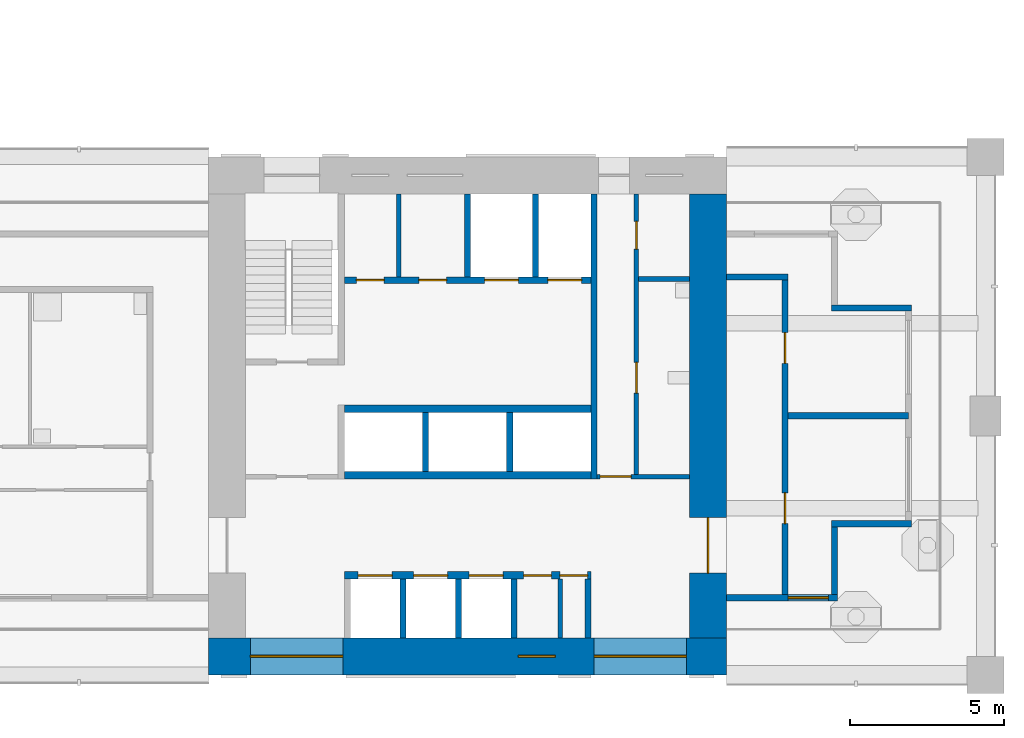
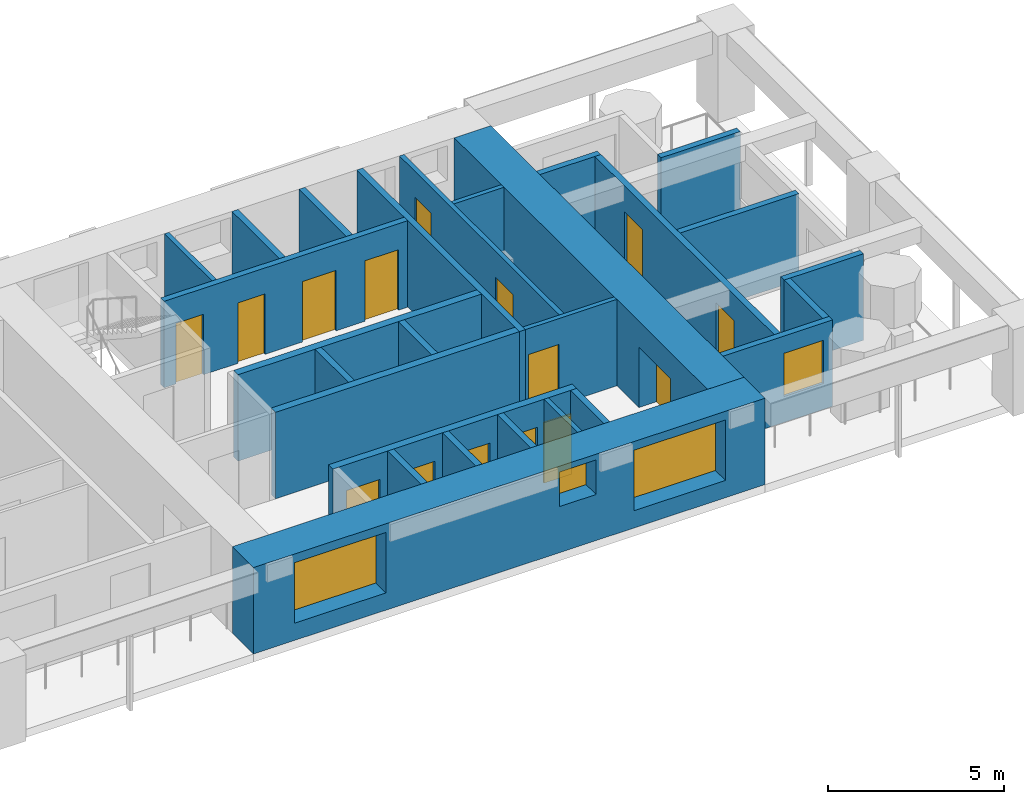
# One storey, part 5 of 18: 27 walls, 15 doors, 4 windows, 19 openings.
"""IFC4 building model written with IfcOpenShell, lengths in metres."""

from ifc_helpers import new_model, si_unit, direction, frame, frame_2d, origin, place, context, subcontext, project, spatial, rectangle, extrude, material, layer, layer_set, type_object, element, fill, save


model = new_model("IFC4")

# Units and contexts
model_context = context("Model", 3, precision=1e-05, world=origin(), true_north=direction((0.0, 1.0)))
body_context = subcontext(model_context, "Body", "Model", "MODEL_VIEW")
ifc_project = project(units=[si_unit("LENGTHUNIT", "METRE"), si_unit("AREAUNIT", "SQUARE_METRE"), si_unit("VOLUMEUNIT", "CUBIC_METRE"), si_unit("PLANEANGLEUNIT", "RADIAN"), si_unit("MASSUNIT", "GRAM", prefix="KILO")], contexts=[model_context])

# Site, building, storey
site_placement = place(None, origin())
site = spatial("IfcSite", under=ifc_project, at=site_placement, CompositionType="ELEMENT")
building_placement = place(site_placement, origin())
building = spatial("IfcBuilding", under=site, at=building_placement, Name="Vermilion Gate Residences", CompositionType="ELEMENT")
storey_placement = place(building_placement, frame((0.0, 0.0, 137.199951171875)))
storey = spatial("IfcBuildingStorey", under=building, at=storey_placement, Name="L35", CompositionType="ELEMENT", Elevation=137.199951171875)

# Walls
ifc_material_1 = material(Name="Masonry blockwork", Category="masonry")
ifc_layer_1 = layer(ifc_material_1, 0.14990234375)
ifc_layer_set_1 = layer_set([ifc_layer_1], Name="BLOCKWORK PARTITION 150 EI 120")
wall_type_1 = type_object("IfcWallType", Name="BLOCKWORK PARTITION 150 EI 120", PredefinedType="PARTITIONING", material=ifc_layer_set_1)
wall_1_placement = place(storey_placement, frame((53.407470703125, 9.60009765625, 0.0), z_axis=(0.0, 0.0, 1.0), x_axis=(0.0, 1.0, 0.0)))
element("IfcWall", 1, at=wall_1_placement, inside=storey, type_object=wall_type_1, Name="Core room partition A35-SR-P0", PredefinedType="PARTITIONING", context=body_context, shape_type="SweptSolid", body=[
    extrude(rectangle(XDim=1.89990234375, YDim=0.14990234375, at=frame_2d((0.949951171875, 0.0))), origin(), (0.0, 0.0, 1.0), 3.0),
])
wall_2_placement = place(storey_placement, frame((48.16259765625, 21.300048828125, 0.0), z_axis=(0.0, 0.0, 1.0), x_axis=(0.0, 1.0, 0.0)))
element("IfcWall", 2, at=wall_2_placement, inside=storey, type_object=wall_type_1, Name="Core room partition A35-NR-P0", PredefinedType="PARTITIONING", context=body_context, shape_type="SweptSolid", body=[
    extrude(rectangle(XDim=2.699951171875, YDim=0.14990234375, at=frame_2d((1.35009765625, 0.0))), origin(), (0.0, 0.0, 1.0), 3.0),
])

# Wall, opening, door
wall_3_placement = place(storey_placement, frame((54.60009765625, 14.824951171875, 0.0), z_axis=(0.0, 0.0, 1.0), x_axis=(1.0, 0.0, 0.0)))
wall_3 = element("IfcWall", 3, at=wall_3_placement, inside=storey, type_object=wall_type_1, Name="Core room partition A35-ES-S", PredefinedType="PARTITIONING", context=body_context, shape_type="SweptSolid", body=[
    extrude(rectangle(XDim=3.0, YDim=0.14990234375, at=frame_2d((1.5, 0.0))), origin(), (0.0, 0.0, 1.0), 3.0),
])
opening_1_placement = place(wall_3_placement, frame((0.10009765625, 0.0, 0.0)))
opening_1 = element("IfcOpeningElement", 4, at=opening_1_placement, cuts=wall_3, Name="Opening DK35014", PredefinedType="OPENING", context=body_context, shape_type="SweptSolid", body=[
    extrude(rectangle(XDim=1.0, YDim=2.10009765625, at=frame_2d((0.5, 1.050048828125))), frame((0.0, 0.0849609375, 0.0), z_axis=(0.0, -1.0, 0.0), x_axis=(1.0, 0.0, 0.0)), (0.0, 0.0, 1.0), 0.169921875),
])
ifc_material_2 = material(Name="Steel", Category="steel")
door_type_1 = type_object("IfcDoorType", Name="FIRE DOOR FD60 1000 X 2100", OperationType="SINGLE_SWING_LEFT", PredefinedType="DOOR", material=ifc_material_2)
door_1_placement = place(opening_1_placement, frame((1.0, 0.0, 0.0), z_axis=(0.0, 0.0, 1.0), x_axis=(-1.0, 0.0, 0.0)))
door_1 = element("IfcDoor", 5, at=door_1_placement, inside=storey, type_object=door_type_1, Name="Service corridor door A35", OperationType="SINGLE_SWING_LEFT", OverallHeight=2.10009765625, OverallWidth=1.0, PredefinedType="DOOR", context=body_context, shape_type="SweptSolid", body=[
    extrude(rectangle(XDim=1.0, YDim=2.10009765625, at=frame_2d((0.5, 1.050048828125))), frame((0.0, 0.02490234375, 0.0), z_axis=(0.0, -1.0, 0.0), x_axis=(1.0, 0.0, 0.0)), (0.0, 0.0, 1.0), 0.050048828125),
])
fill(opening_1, door_1)

# Wall
wall_4_placement = place(storey_placement, frame((55.949951171875, 21.239990234375, 0.0), z_axis=(0.0, 0.0, 1.0), x_axis=(1.0, 0.0, 0.0)))
element("IfcWall", 6, at=wall_4_placement, inside=storey, type_object=wall_type_1, Name="Core room partition A35-ES-P0", PredefinedType="PARTITIONING", context=body_context, shape_type="SweptSolid", body=[
    extrude(rectangle(XDim=1.650146484375, YDim=0.14990234375, at=frame_2d((0.8251953125, 0.0))), origin(), (0.0, 0.0, 1.0), 3.0),
])

# Wall, openings, doors
wall_5_placement = place(storey_placement, frame((55.875, 14.89990234375, 0.0), z_axis=(0.0, 0.0, 1.0), x_axis=(0.0, 1.0, 0.0)))
wall_5 = element("IfcWall", 7, at=wall_5_placement, inside=storey, type_object=wall_type_1, Name="Core room partition A35-ES-W", PredefinedType="PARTITIONING", context=body_context, shape_type="SweptSolid", body=[
    extrude(rectangle(XDim=9.10009765625, YDim=0.14990234375, at=frame_2d((4.550048828125, 0.0))), origin(), (0.0, 0.0, 1.0), 3.0),
])
opening_2_placement = place(wall_5_placement, frame((2.632568359375, 0.0, 0.0)))
opening_2 = element("IfcOpeningElement", 8, at=opening_2_placement, cuts=wall_5, Name="Opening DK35015", PredefinedType="OPENING", context=body_context, shape_type="SweptSolid", body=[
    extrude(rectangle(XDim=1.0, YDim=2.10009765625, at=frame_2d((0.5, 1.050048828125))), frame((0.0, 0.0849609375, 0.0), z_axis=(0.0, -1.0, 0.0), x_axis=(1.0, 0.0, 0.0)), (0.0, 0.0, 1.0), 0.169921875),
])
opening_3_placement = place(wall_5_placement, frame((7.3076171875, 0.0, 0.0)))
opening_3 = element("IfcOpeningElement", 9, at=opening_3_placement, cuts=wall_5, Name="Opening DK35016", PredefinedType="OPENING", context=body_context, shape_type="SweptSolid", body=[
    extrude(rectangle(XDim=0.89990234375, YDim=2.10009765625, at=frame_2d((0.449951171875, 1.050048828125))), frame((0.0, 0.0849609375, 0.0), z_axis=(0.0, -1.0, 0.0), x_axis=(1.0, 0.0, 0.0)), (0.0, 0.0, 1.0), 0.169921875),
])
door_2_placement = place(opening_2_placement, frame((1.0, 0.0, 0.0), z_axis=(0.0, 0.0, 1.0), x_axis=(-1.0, 0.0, 0.0)))
door_2 = element("IfcDoor", 10, at=door_2_placement, inside=storey, type_object=door_type_1, Name="Accessible WC A35", OperationType="SINGLE_SWING_RIGHT", OverallHeight=2.10009765625, OverallWidth=1.0, PredefinedType="DOOR", context=body_context, shape_type="SweptSolid", body=[
    extrude(rectangle(XDim=1.0, YDim=2.10009765625, at=frame_2d((0.5, 1.050048828125))), frame((0.0, 0.02490234375, 0.0), z_axis=(0.0, -1.0, 0.0), x_axis=(1.0, 0.0, 0.0)), (0.0, 0.0, 1.0), 0.050048828125),
])
fill(opening_2, door_2)
ifc_material_3 = material(Name="Steel", Category="steel")
door_type_2 = type_object("IfcDoorType", Name="SERVICE ROOM DOOR FD60 900 X 2100", OperationType="SINGLE_SWING_LEFT", PredefinedType="DOOR", material=ifc_material_3)
door_3_placement = place(opening_3_placement, frame((0.89990234375, 0.0, 0.0), z_axis=(0.0, 0.0, 1.0), x_axis=(-1.0, 0.0, 0.0)))
door_3 = element("IfcDoor", 11, at=door_3_placement, inside=storey, type_object=door_type_2, Name="Communications room A35", OperationType="SINGLE_SWING_LEFT", OverallHeight=2.10009765625, OverallWidth=0.89990234375, PredefinedType="DOOR", context=body_context, shape_type="SweptSolid", body=[
    extrude(rectangle(XDim=0.89990234375, YDim=2.10009765625, at=frame_2d((0.449951171875, 1.050048828125))), frame((0.0, 0.02490234375, 0.0), z_axis=(0.0, -1.0, 0.0), x_axis=(1.0, 0.0, 0.0)), (0.0, 0.0, 1.0), 0.050048828125),
])
fill(opening_3, door_3)

# Wall, opening, window
ifc_material_4 = material(Name="Insulated steel stud wall with terracotta rainscreen", Category="masonry")
ifc_layer_2 = layer(ifc_material_4, 0.199951171875)
ifc_layer_set_2 = layer_set([ifc_layer_2], Name="EXTERNAL WALL 200 TERRACOTTA RAINSCREEN")
wall_type_2 = type_object("IfcWallType", Name="EXTERNAL WALL 200 TERRACOTTA RAINSCREEN", PredefinedType="SOLIDWALL", material=ifc_layer_set_2)
wall_6_placement = place(storey_placement, frame((58.800048828125, 10.89990234375, 0.0), z_axis=(0.0, 0.0, 1.0), x_axis=(1.0, 0.0, 0.0)))
wall_6 = element("IfcWall", 12, at=wall_6_placement, inside=storey, type_object=wall_type_2, Name="External wall", PredefinedType="SOLIDWALL", context=body_context, shape_type="SweptSolid", body=[
    extrude(rectangle(XDim=3.599853515625, YDim=0.199951171875, at=frame_2d((1.7998046875, 0.0))), origin(), (0.0, 0.0, 1.0), 3.0),
])
opening_4_placement = place(wall_6_placement, frame((2.0, 0.0, 0.89990234375)))
opening_4 = element("IfcOpeningElement", 13, at=opening_4_placement, cuts=wall_6, Name="Opening WE35020", PredefinedType="OPENING", context=body_context, shape_type="SweptSolid", body=[
    extrude(rectangle(XDim=1.300048828125, YDim=1.5, at=frame_2d((0.64990234375, 0.75))), frame((0.0, 0.10986328125, 0.0), z_axis=(0.0, -1.0, 0.0), x_axis=(1.0, 0.0, 0.0)), (0.0, 0.0, 1.0), 0.219970703125),
])
ifc_material_5 = material(Name="Aluminium and clear glass", Category="aluminium")
window_type_1 = type_object("IfcWindowType", Name="WINDOW 1300 X 1500", PartitioningType="SINGLE_PANEL", PredefinedType="WINDOW", material=ifc_material_5)
window_1_placement = place(opening_4_placement, origin())
window_1 = element("IfcWindow", 14, at=window_1_placement, inside=storey, type_object=window_type_1, Name="Window", OverallHeight=1.5, OverallWidth=1.300048828125, PartitioningType="SINGLE_PANEL", PredefinedType="WINDOW", context=body_context, shape_type="SweptSolid", body=[
    extrude(rectangle(XDim=1.300048828125, YDim=1.5, at=frame_2d((0.64990234375, 0.75))), frame((0.0, 0.030029296875, 0.0), z_axis=(0.0, -1.0, 0.0), x_axis=(1.0, 0.0, 0.0)), (0.0, 0.0, 1.0), 0.06005859375),
])
fill(opening_4, window_1)

# Walls
wall_7_placement = place(storey_placement, frame((62.300048828125, 11.0, 0.0), z_axis=(0.0, 0.0, 1.0), x_axis=(0.0, 1.0, 0.0)))
element("IfcWall", 15, at=wall_7_placement, inside=storey, type_object=wall_type_2, Name="External wall", PredefinedType="SOLIDWALL", context=body_context, shape_type="SweptSolid", body=[
    extrude(rectangle(XDim=2.199951171875, YDim=0.199951171875, at=frame_2d((1.10009765625, 0.0))), origin(), (0.0, 0.0, 1.0), 3.0),
])
for number, where, z_axis, x_axis, name in (
    (16, (62.199951171875, 13.300048828125, 0.0), (0.0, 0.0, 1.0), (1.0, 0.0, 0.0), "External wall"),
    (17, (64.800048828125, 20.300048828125, 0.0), (0.0, 0.0, 1.0), (-1.0, 0.0, 0.0), "External wall"),
):
    element("IfcWall", number, at=place(storey_placement, frame(where, z_axis=z_axis, x_axis=x_axis)), inside=storey, type_object=wall_type_2, Name=name, PredefinedType="SOLIDWALL", context=body_context, shape_type="SweptSolid", body=[
        extrude(rectangle(XDim=2.60009765625, YDim=0.199951171875, at=frame_2d((1.300048828125, 0.0))), origin(), (0.0, 0.0, 1.0), 3.0),
    ])
ifc_material_6 = material(Name="Fire-rated plasterboard on steel studs", Category="steel")
ifc_layer_3 = layer(ifc_material_6, 0.199951171875)
ifc_layer_set_3 = layer_set([ifc_layer_3], Name="PARTY WALL 200 EI 120")
wall_type_3 = type_object("IfcWallType", Name="PARTY WALL 200 EI 120", PredefinedType="PARTITIONING", material=ifc_layer_set_3)
wall_8_placement = place(storey_placement, frame((60.800048828125, 16.800048828125, 0.0), z_axis=(0.0, 0.0, 1.0), x_axis=(1.0, 0.0, 0.0)))
element("IfcWall", 18, at=wall_8_placement, inside=storey, type_object=wall_type_3, Name="Party and corridor wall", PredefinedType="PARTITIONING", context=body_context, shape_type="SweptSolid", body=[
    extrude(rectangle(XDim=3.89990234375, YDim=0.199951171875, at=frame_2d((1.949951171875, 0.0))), origin(), (0.0, 0.0, 1.0), 3.0),
])
wall_9_placement = place(storey_placement, frame((58.800048828125, 21.300048828125, 0.0), z_axis=(0.0, 0.0, 1.0), x_axis=(1.0, 0.0, 0.0)))
element("IfcWall", 19, at=wall_9_placement, inside=storey, type_object=wall_type_3, Name="Party and corridor wall", PredefinedType="PARTITIONING", context=body_context, shape_type="SweptSolid", body=[
    extrude(rectangle(XDim=2.0, YDim=0.199951171875, at=frame_2d((1.0, 0.0))), origin(), (0.0, 0.0, 1.0), 3.0),
])

# Wall, openings, doors
wall_10_placement = place(storey_placement, frame((60.699951171875, 10.89990234375, 0.0), z_axis=(0.0, 0.0, 1.0), x_axis=(0.0, 1.0, 0.0)))
wall_10 = element("IfcWall", 20, at=wall_10_placement, inside=storey, type_object=wall_type_3, Name="Party and corridor wall", PredefinedType="PARTITIONING", context=body_context, shape_type="SweptSolid", body=[
    extrude(rectangle(XDim=10.300048828125, YDim=0.199951171875, at=frame_2d((5.14990234375, 0.0))), origin(), (0.0, 0.0, 1.0), 3.0),
])
opening_5_placement = place(wall_10_placement, frame((2.39990234375, 0.0, 0.0)))
opening_5 = element("IfcOpeningElement", 21, at=opening_5_placement, cuts=wall_10, Name="Opening DA34041", PredefinedType="OPENING", context=body_context, shape_type="SweptSolid", body=[
    extrude(rectangle(XDim=1.0, YDim=2.10009765625, at=frame_2d((0.5, 1.050048828125))), frame((0.0, 0.10986328125, 0.0), z_axis=(0.0, -1.0, 0.0), x_axis=(1.0, 0.0, 0.0)), (0.0, 0.0, 1.0), 0.219970703125),
])
opening_6_placement = place(wall_10_placement, frame((7.60009765625, 0.0, 0.0)))
opening_6 = element("IfcOpeningElement", 22, at=opening_6_placement, cuts=wall_10, Name="Opening DA34042", PredefinedType="OPENING", context=body_context, shape_type="SweptSolid", body=[
    extrude(rectangle(XDim=1.0, YDim=2.10009765625, at=frame_2d((0.5, 1.050048828125))), frame((0.0, 0.10986328125, 0.0), z_axis=(0.0, -1.0, 0.0), x_axis=(1.0, 0.0, 0.0)), (0.0, 0.0, 1.0), 0.219970703125),
])
ifc_material_7 = material(Name="Steel", Category="steel")
door_type_3 = type_object("IfcDoorType", Name="ENTRANCE DOOR 1000 X 2100 FD30", OperationType="SINGLE_SWING_LEFT", PredefinedType="DOOR", material=ifc_material_7)
door_4_placement = place(opening_5_placement, frame((1.0, 0.0, 0.0), z_axis=(0.0, 0.0, 1.0), x_axis=(-1.0, 0.0, 0.0)))
door_4 = element("IfcDoor", 23, at=door_4_placement, inside=storey, type_object=door_type_3, Name="Entrance door", OperationType="SINGLE_SWING_RIGHT", OverallHeight=2.10009765625, OverallWidth=1.0, PredefinedType="DOOR", context=body_context, shape_type="SweptSolid", body=[
    extrude(rectangle(XDim=1.0, YDim=2.10009765625, at=frame_2d((0.5, 1.050048828125))), frame((0.0, 0.02490234375, 0.0), z_axis=(0.0, -1.0, 0.0), x_axis=(1.0, 0.0, 0.0)), (0.0, 0.0, 1.0), 0.050048828125),
])
fill(opening_5, door_4)
door_5_placement = place(opening_6_placement, frame((1.0, 0.0, 0.0), z_axis=(0.0, 0.0, 1.0), x_axis=(-1.0, 0.0, 0.0)))
door_5 = element("IfcDoor", 24, at=door_5_placement, inside=storey, type_object=door_type_3, Name="Entrance door", OperationType="SINGLE_SWING_RIGHT", OverallHeight=2.10009765625, OverallWidth=1.0, PredefinedType="DOOR", context=body_context, shape_type="SweptSolid", body=[
    extrude(rectangle(XDim=1.0, YDim=2.10009765625, at=frame_2d((0.5, 1.050048828125))), frame((0.0, 0.02490234375, 0.0), z_axis=(0.0, -1.0, 0.0), x_axis=(1.0, 0.0, 0.0)), (0.0, 0.0, 1.0), 0.050048828125),
])
fill(opening_6, door_5)

# Walls
ifc_material_8 = material(Name="Concrete C60", Category="concrete")
ifc_layer_4 = layer(ifc_material_8, 0.199951171875)
ifc_layer_set_4 = layer_set([ifc_layer_4], Name="RC CORE INTERNAL WALL 200 C60")
wall_type_4 = type_object("IfcWallType", Name="RC CORE INTERNAL WALL 200 C60", PredefinedType="SHEAR", material=ifc_layer_set_4)
for number, where, z_axis, x_axis, name in (
    (25, (48.300048828125, 9.60009765625, 0.0), (0.0, 0.0, 1.0), (0.0, 1.0, 0.0), "Core internal wall A35-LR-D1"),
    (26, (50.10009765625, 9.60009765625, 0.0), (0.0, 0.0, 1.0), (0.0, 1.0, 0.0), "Core internal wall A35-LR-D2"),
    (27, (51.89990234375, 9.60009765625, 0.0), (0.0, 0.0, 1.0), (0.0, 1.0, 0.0), "Core internal wall A35-LR-D3"),
    (28, (54.300048828125, 9.60009765625, 0.0), (0.0, 0.0, 1.0), (0.0, 1.0, 0.0), "Core internal wall A35-LR-DE"),
    (29, (49.033447265625, 15.0, 0.0), (0.0, 0.0, 1.0), (0.0, 1.0, 0.0), "Core internal wall A35-HR-D1"),
    (30, (51.7666015625, 15.0, 0.0), (0.0, 0.0, 1.0), (0.0, 1.0, 0.0), "Core internal wall A35-HR-D2"),
):
    element("IfcWall", number, at=place(storey_placement, frame(where, z_axis=z_axis, x_axis=x_axis)), inside=storey, type_object=wall_type_4, Name=name, PredefinedType="SHEAR", context=body_context, shape_type="SweptSolid", body=[
        extrude(rectangle(XDim=1.89990234375, YDim=0.199951171875, at=frame_2d((0.949951171875, 0.0))), origin(), (0.0, 0.0, 1.0), 3.0),
    ])
for number, where, z_axis, x_axis, name in (
    (31, (50.39990234375, 21.300048828125, 0.0), (0.0, 0.0, 1.0), (0.0, 1.0, 0.0), "Core internal wall A35-FF-D0"),
    (32, (52.60009765625, 21.300048828125, 0.0), (0.0, 0.0, 1.0), (0.0, 1.0, 0.0), "Core internal wall A35-FF-D1"),
):
    element("IfcWall", number, at=place(storey_placement, frame(where, z_axis=z_axis, x_axis=x_axis)), inside=storey, type_object=wall_type_4, Name=name, PredefinedType="SHEAR", context=body_context, shape_type="SweptSolid", body=[
        extrude(rectangle(XDim=2.699951171875, YDim=0.199951171875, at=frame_2d((1.35009765625, 0.0))), origin(), (0.0, 0.0, 1.0), 3.0),
    ])

# Wall, openings, doors
wall_11_placement = place(storey_placement, frame((46.39990234375, 21.199951171875, 0.0), z_axis=(0.0, 0.0, 1.0), x_axis=(1.0, 0.0, 0.0)))
wall_11 = element("IfcWall", 33, at=wall_11_placement, inside=storey, type_object=wall_type_4, Name="Core internal wall A35-FF-F", PredefinedType="SHEAR", context=body_context, shape_type="SweptSolid", body=[
    extrude(rectangle(XDim=8.0, YDim=0.199951171875, at=frame_2d((4.0, 0.0))), origin(), (0.0, 0.0, 1.0), 3.0),
])
opening_7_placement = place(wall_11_placement, frame((0.393798828125, 0.0, 0.0)))
opening_7 = element("IfcOpeningElement", 34, at=opening_7_placement, cuts=wall_11, Name="Opening DK35008", PredefinedType="OPENING", context=body_context, shape_type="SweptSolid", body=[
    extrude(rectangle(XDim=0.89990234375, YDim=2.10009765625, at=frame_2d((0.449951171875, 1.050048828125))), frame((0.0, 0.10986328125, 0.0), z_axis=(0.0, -1.0, 0.0), x_axis=(1.0, 0.0, 0.0)), (0.0, 0.0, 1.0), 0.219970703125),
])
opening_8_placement = place(wall_11_placement, frame((2.418701171875, 0.0, 0.0)))
opening_8 = element("IfcOpeningElement", 35, at=opening_8_placement, cuts=wall_11, Name="Opening DK35009", PredefinedType="OPENING", context=body_context, shape_type="SweptSolid", body=[
    extrude(rectangle(XDim=0.89990234375, YDim=2.10009765625, at=frame_2d((0.449951171875, 1.050048828125))), frame((0.0, 0.10986328125, 0.0), z_axis=(0.0, -1.0, 0.0), x_axis=(1.0, 0.0, 0.0)), (0.0, 0.0, 1.0), 0.219970703125),
])
opening_9_placement = place(wall_11_placement, frame((4.550048828125, 0.0, 0.0)))
opening_9 = element("IfcOpeningElement", 36, at=opening_9_placement, cuts=wall_11, Name="Opening LD", PredefinedType="OPENING", context=body_context, shape_type="SweptSolid", body=[
    extrude(rectangle(XDim=1.10009765625, YDim=2.10009765625, at=frame_2d((0.550048828125, 1.050048828125))), frame((0.0, 0.10986328125, 0.0), z_axis=(0.0, -1.0, 0.0), x_axis=(1.0, 0.0, 0.0)), (0.0, 0.0, 1.0), 0.219970703125),
])
opening_10_placement = place(wall_11_placement, frame((6.60009765625, 0.0, 0.0)))
opening_10 = element("IfcOpeningElement", 37, at=opening_10_placement, cuts=wall_11, Name="Opening LD", PredefinedType="OPENING", context=body_context, shape_type="SweptSolid", body=[
    extrude(rectangle(XDim=1.10009765625, YDim=2.10009765625, at=frame_2d((0.550048828125, 1.050048828125))), frame((0.0, 0.10986328125, 0.0), z_axis=(0.0, -1.0, 0.0), x_axis=(1.0, 0.0, 0.0)), (0.0, 0.0, 1.0), 0.219970703125),
])
ifc_material_9 = material(Name="Stainless steel", Category="steel")
door_type_4 = type_object("IfcDoorType", Name="LIFT LANDING DOOR E60 1100 X 2100", OperationType="DOUBLE_DOOR_SLIDING", PredefinedType="DOOR", material=ifc_material_9)
door_6_placement = place(opening_9_placement, origin())
door_6 = element("IfcDoor", 38, at=door_6_placement, inside=storey, type_object=door_type_4, Name="Lift landing door LFA1", OperationType="DOUBLE_DOOR_SLIDING", OverallHeight=2.10009765625, OverallWidth=1.10009765625, PredefinedType="DOOR", context=body_context, shape_type="SweptSolid", body=[
    extrude(rectangle(XDim=1.10009765625, YDim=2.10009765625, at=frame_2d((0.550048828125, 1.050048828125))), frame((0.0, 0.02490234375, 0.0), z_axis=(0.0, -1.0, 0.0), x_axis=(1.0, 0.0, 0.0)), (0.0, 0.0, 1.0), 0.050048828125),
])
fill(opening_9, door_6)
door_7_placement = place(opening_10_placement, origin())
door_7 = element("IfcDoor", 39, at=door_7_placement, inside=storey, type_object=door_type_4, Name="Lift landing door LCA1", OperationType="DOUBLE_DOOR_SLIDING", OverallHeight=2.10009765625, OverallWidth=1.10009765625, PredefinedType="DOOR", context=body_context, shape_type="SweptSolid", body=[
    extrude(rectangle(XDim=1.10009765625, YDim=2.10009765625, at=frame_2d((0.550048828125, 1.050048828125))), frame((0.0, 0.02490234375, 0.0), z_axis=(0.0, -1.0, 0.0), x_axis=(1.0, 0.0, 0.0)), (0.0, 0.0, 1.0), 0.050048828125),
])
fill(opening_10, door_7)
door_8_placement = place(opening_7_placement, origin())
door_8 = element("IfcDoor", 40, at=door_8_placement, inside=storey, type_object=door_type_2, Name="Housekeeping store A35", OperationType="SINGLE_SWING_LEFT", OverallHeight=2.10009765625, OverallWidth=0.89990234375, PredefinedType="DOOR", context=body_context, shape_type="SweptSolid", body=[
    extrude(rectangle(XDim=0.89990234375, YDim=2.10009765625, at=frame_2d((0.449951171875, 1.050048828125))), frame((0.0, 0.02490234375, 0.0), z_axis=(0.0, -1.0, 0.0), x_axis=(1.0, 0.0, 0.0)), (0.0, 0.0, 1.0), 0.050048828125),
])
fill(opening_7, door_8)
door_9_placement = place(opening_8_placement, origin())
door_9 = element("IfcDoor", 41, at=door_9_placement, inside=storey, type_object=door_type_2, Name="Mail room A35", OperationType="SINGLE_SWING_LEFT", OverallHeight=2.10009765625, OverallWidth=0.89990234375, PredefinedType="DOOR", context=body_context, shape_type="SweptSolid", body=[
    extrude(rectangle(XDim=0.89990234375, YDim=2.10009765625, at=frame_2d((0.449951171875, 1.050048828125))), frame((0.0, 0.02490234375, 0.0), z_axis=(0.0, -1.0, 0.0), x_axis=(1.0, 0.0, 0.0)), (0.0, 0.0, 1.0), 0.050048828125),
])
fill(opening_8, door_9)

# Wall
wall_12_placement = place(storey_placement, frame((54.5, 14.75, 0.0), z_axis=(0.0, 0.0, 1.0), x_axis=(0.0, 1.0, 0.0)))
element("IfcWall", 42, at=wall_12_placement, inside=storey, type_object=wall_type_4, Name="Core internal wall A35-EDIV", PredefinedType="SHEAR", context=body_context, shape_type="SweptSolid", body=[
    extrude(rectangle(XDim=9.25, YDim=0.199951171875, at=frame_2d((4.625, 0.0))), origin(), (0.0, 0.0, 1.0), 3.0),
])

# Wall, opening, door
ifc_material_10 = material(Name="Concrete C70", Category="concrete")
ifc_layer_5 = layer(ifc_material_10, 1.199951171875)
ifc_layer_set_5 = layer_set([ifc_layer_5], Name="RC CORE WALL 1200 C70")
wall_type_5 = type_object("IfcWallType", Name="RC CORE WALL 1200 C70", PredefinedType="SHEAR", material=ifc_layer_set_5)
wall_13_placement = place(storey_placement, frame((58.199951171875, 9.60009765625, 0.0), z_axis=(0.0, 0.0, 1.0), x_axis=(0.0, 1.0, 0.0)))
wall_13 = element("IfcWall", 43, at=wall_13_placement, inside=storey, type_object=wall_type_5, Name="Core wall A35-OUT-BK", PredefinedType="SHEAR", context=body_context, shape_type="SweptSolid", body=[
    extrude(rectangle(XDim=14.39990234375, YDim=1.199951171875, at=frame_2d((7.199951171875, 0.0))), origin(), (0.0, 0.0, 1.0), 3.0),
])
opening_11_placement = place(wall_13_placement, frame((2.10009765625, 0.0, 0.0)))
opening_11 = element("IfcOpeningElement", 44, at=opening_11_placement, cuts=wall_13, Name="Opening DK35002", PredefinedType="OPENING", context=body_context, shape_type="SweptSolid", body=[
    extrude(rectangle(XDim=1.800048828125, YDim=2.10009765625, at=frame_2d((0.89990234375, 1.050048828125))), frame((0.0, 0.60986328125, 0.0), z_axis=(0.0, -1.0, 0.0), x_axis=(1.0, 0.0, 0.0)), (0.0, 0.0, 1.0), 1.219970703125),
])
ifc_material_11 = material(Name="Steel", Category="steel")
door_type_5 = type_object("IfcDoorType", Name="CORE LOBBY DOOR FD60 1800 X 2100", OperationType="DOUBLE_DOOR_SINGLE_SWING", PredefinedType="DOOR", material=ifc_material_11)
door_10_placement = place(opening_11_placement, origin())
door_10 = element("IfcDoor", 45, at=door_10_placement, inside=storey, type_object=door_type_5, Name="Core lobby door A35", OperationType="DOUBLE_DOOR_SINGLE_SWING", OverallHeight=2.10009765625, OverallWidth=1.800048828125, PredefinedType="DOOR", context=body_context, shape_type="SweptSolid", body=[
    extrude(rectangle(XDim=1.800048828125, YDim=2.10009765625, at=frame_2d((0.89990234375, 1.050048828125))), frame((0.0, 0.02490234375, 0.0), z_axis=(0.0, -1.0, 0.0), x_axis=(1.0, 0.0, 0.0)), (0.0, 0.0, 1.0), 0.050048828125),
])
fill(opening_11, door_10)

# Wall, openings, windows
ifc_material_12 = material(Name="Concrete C70 red-oxide pigmented", Category="concrete")
ifc_layer_6 = layer(ifc_material_12, 1.199951171875)
ifc_layer_set_6 = layer_set([ifc_layer_6], Name="RC CORE WALL 1200 C70 RED OXIDE")
wall_type_6 = type_object("IfcWallType", Name="RC CORE WALL 1200 C70 RED OXIDE", PredefinedType="SHEAR", material=ifc_layer_set_6)
wall_14_placement = place(storey_placement, frame((42.0, 9.0, 0.0), z_axis=(0.0, 0.0, 1.0), x_axis=(1.0, 0.0, 0.0)))
wall_14 = element("IfcWall", 46, at=wall_14_placement, inside=storey, type_object=wall_type_6, Name="Core wall A35-OUT-B0", PredefinedType="SHEAR", context=body_context, shape_type="SweptSolid", body=[
    extrude(rectangle(XDim=16.800048828125, YDim=1.199951171875, at=frame_2d((8.39990234375, 0.0))), origin(), (0.0, 0.0, 1.0), 3.0),
])
opening_12_placement = place(wall_14_placement, frame((1.35009765625, 0.0, 0.60009765625)))
opening_12 = element("IfcOpeningElement", 47, at=opening_12_placement, cuts=wall_14, Name="Opening WKA3501", PredefinedType="OPENING", context=body_context, shape_type="SweptSolid", body=[
    extrude(rectangle(XDim=3.0, YDim=2.10009765625, at=frame_2d((1.5, 1.050048828125))), frame((0.0, 0.60986328125, 0.0), z_axis=(0.0, -1.0, 0.0), x_axis=(1.0, 0.0, 0.0)), (0.0, 0.0, 1.0), 1.219970703125),
])
opening_13_placement = place(wall_14_placement, frame((10.050048828125, 0.0, 1.60009765625)))
opening_13 = element("IfcOpeningElement", 48, at=opening_13_placement, cuts=wall_14, Name="Opening WKA3502", PredefinedType="OPENING", context=body_context, shape_type="SweptSolid", body=[
    extrude(rectangle(XDim=1.199951171875, YDim=1.199951171875, at=frame_2d((0.60009765625, 0.60009765625))), frame((0.0, 0.60986328125, 0.0), z_axis=(0.0, -1.0, 0.0), x_axis=(1.0, 0.0, 0.0)), (0.0, 0.0, 1.0), 1.219970703125),
])
opening_14_placement = place(wall_14_placement, frame((12.5, 0.0, 0.60009765625)))
opening_14 = element("IfcOpeningElement", 49, at=opening_14_placement, cuts=wall_14, Name="Opening WKA3503", PredefinedType="OPENING", context=body_context, shape_type="SweptSolid", body=[
    extrude(rectangle(XDim=3.0, YDim=2.10009765625, at=frame_2d((1.5, 1.050048828125))), frame((0.0, 0.60986328125, 0.0), z_axis=(0.0, -1.0, 0.0), x_axis=(1.0, 0.0, 0.0)), (0.0, 0.0, 1.0), 1.219970703125),
])
ifc_material_13 = material(Name="Aluminium and clear glass", Category="aluminium")
window_type_2 = type_object("IfcWindowType", Name="CORE LOBBY WINDOW 3000 X 2100", PartitioningType="SINGLE_PANEL", PredefinedType="WINDOW", material=ifc_material_13)
window_2_placement = place(opening_12_placement, origin())
window_2 = element("IfcWindow", 50, at=window_2_placement, inside=storey, type_object=window_type_2, Name="Core lobby window", OverallHeight=2.10009765625, OverallWidth=3.0, PartitioningType="SINGLE_PANEL", PredefinedType="WINDOW", context=body_context, shape_type="SweptSolid", body=[
    extrude(rectangle(XDim=3.0, YDim=2.10009765625, at=frame_2d((1.5, 1.050048828125))), frame((0.0, 0.030029296875, 0.0), z_axis=(0.0, -1.0, 0.0), x_axis=(1.0, 0.0, 0.0)), (0.0, 0.0, 1.0), 0.06005859375),
])
fill(opening_12, window_2)
window_3_placement = place(opening_14_placement, origin())
window_3 = element("IfcWindow", 51, at=window_3_placement, inside=storey, type_object=window_type_2, Name="Core lobby window", OverallHeight=2.10009765625, OverallWidth=3.0, PartitioningType="SINGLE_PANEL", PredefinedType="WINDOW", context=body_context, shape_type="SweptSolid", body=[
    extrude(rectangle(XDim=3.0, YDim=2.10009765625, at=frame_2d((1.5, 1.050048828125))), frame((0.0, 0.030029296875, 0.0), z_axis=(0.0, -1.0, 0.0), x_axis=(1.0, 0.0, 0.0)), (0.0, 0.0, 1.0), 0.06005859375),
])
fill(opening_14, window_3)
ifc_material_14 = material(Name="Aluminium frame with louvre blades", Category="aluminium")
window_type_3 = type_object("IfcWindowType", Name="CORE LOUVRE 1200 X 1200", PartitioningType="SINGLE_PANEL", PredefinedType="WINDOW", material=ifc_material_14)
window_4_placement = place(opening_13_placement, origin())
window_4 = element("IfcWindow", 52, at=window_4_placement, inside=storey, type_object=window_type_3, Name="Core louvre", OverallHeight=1.199951171875, OverallWidth=1.199951171875, PartitioningType="SINGLE_PANEL", PredefinedType="WINDOW", context=body_context, shape_type="SweptSolid", body=[
    extrude(rectangle(XDim=1.199951171875, YDim=1.199951171875, at=frame_2d((0.60009765625, 0.60009765625))), frame((0.0, 0.030029296875, 0.0), z_axis=(0.0, -1.0, 0.0), x_axis=(1.0, 0.0, 0.0)), (0.0, 0.0, 1.0), 0.06005859375),
])
fill(opening_13, window_4)

# Wall, openings, doors
ifc_material_15 = material(Name="Concrete C60", Category="concrete")
ifc_layer_7 = layer(ifc_material_15, 0.25)
ifc_layer_set_7 = layer_set([ifc_layer_7], Name="RC LIFT SHAFT WALL 250 C60")
wall_type_7 = type_object("IfcWallType", Name="RC LIFT SHAFT WALL 250 C60", PredefinedType="SHEAR", material=ifc_layer_set_7)
wall_15_placement = place(storey_placement, frame((46.39990234375, 11.625, 0.0), z_axis=(0.0, 0.0, 1.0), x_axis=(1.0, 0.0, 0.0)))
wall_15 = element("IfcWall", 53, at=wall_15_placement, inside=storey, type_object=wall_type_7, Name="Lift shaft wall A35-LR-F", PredefinedType="SHEAR", context=body_context, shape_type="SweptSolid", body=[
    extrude(rectangle(XDim=8.0, YDim=0.25, at=frame_2d((4.0, 0.0))), origin(), (0.0, 0.0, 1.0), 3.0),
])
opening_15_placement = place(wall_15_placement, frame((0.449951171875, 0.0, 0.0)))
opening_15 = element("IfcOpeningElement", 54, at=opening_15_placement, cuts=wall_15, Name="Opening LD", PredefinedType="OPENING", context=body_context, shape_type="SweptSolid", body=[
    extrude(rectangle(XDim=1.10009765625, YDim=2.10009765625, at=frame_2d((0.550048828125, 1.050048828125))), frame((0.0, 0.135009765625, 0.0), z_axis=(0.0, -1.0, 0.0), x_axis=(1.0, 0.0, 0.0)), (0.0, 0.0, 1.0), 0.27001953125),
])
opening_16_placement = place(wall_15_placement, frame((2.25, 0.0, 0.0)))
opening_16 = element("IfcOpeningElement", 55, at=opening_16_placement, cuts=wall_15, Name="Opening LD", PredefinedType="OPENING", context=body_context, shape_type="SweptSolid", body=[
    extrude(rectangle(XDim=1.10009765625, YDim=2.10009765625, at=frame_2d((0.550048828125, 1.050048828125))), frame((0.0, 0.135009765625, 0.0), z_axis=(0.0, -1.0, 0.0), x_axis=(1.0, 0.0, 0.0)), (0.0, 0.0, 1.0), 0.27001953125),
])
opening_17_placement = place(wall_15_placement, frame((4.050048828125, 0.0, 0.0)))
opening_17 = element("IfcOpeningElement", 56, at=opening_17_placement, cuts=wall_15, Name="Opening LD", PredefinedType="OPENING", context=body_context, shape_type="SweptSolid", body=[
    extrude(rectangle(XDim=1.10009765625, YDim=2.10009765625, at=frame_2d((0.550048828125, 1.050048828125))), frame((0.0, 0.135009765625, 0.0), z_axis=(0.0, -1.0, 0.0), x_axis=(1.0, 0.0, 0.0)), (0.0, 0.0, 1.0), 0.27001953125),
])
opening_18_placement = place(wall_15_placement, frame((5.816162109375, 0.0, 0.0)))
opening_18 = element("IfcOpeningElement", 57, at=opening_18_placement, cuts=wall_15, Name="Opening DK35006", PredefinedType="OPENING", context=body_context, shape_type="SweptSolid", body=[
    extrude(rectangle(XDim=0.89990234375, YDim=2.10009765625, at=frame_2d((0.449951171875, 1.050048828125))), frame((0.0, 0.135009765625, 0.0), z_axis=(0.0, -1.0, 0.0), x_axis=(1.0, 0.0, 0.0)), (0.0, 0.0, 1.0), 0.27001953125),
])
opening_19_placement = place(wall_15_placement, frame((6.9912109375, 0.0, 0.0)))
opening_19 = element("IfcOpeningElement", 58, at=opening_19_placement, cuts=wall_15, Name="Opening DK35007", PredefinedType="OPENING", context=body_context, shape_type="SweptSolid", body=[
    extrude(rectangle(XDim=0.89990234375, YDim=2.10009765625, at=frame_2d((0.449951171875, 1.050048828125))), frame((0.0, 0.135009765625, 0.0), z_axis=(0.0, -1.0, 0.0), x_axis=(1.0, 0.0, 0.0)), (0.0, 0.0, 1.0), 0.27001953125),
])
door_11_placement = place(opening_15_placement, origin())
door_11 = element("IfcDoor", 59, at=door_11_placement, inside=storey, type_object=door_type_4, Name="Lift landing door LRA1", OperationType="DOUBLE_DOOR_SLIDING", OverallHeight=2.10009765625, OverallWidth=1.10009765625, PredefinedType="DOOR", context=body_context, shape_type="SweptSolid", body=[
    extrude(rectangle(XDim=1.10009765625, YDim=2.10009765625, at=frame_2d((0.550048828125, 1.050048828125))), frame((0.0, 0.02490234375, 0.0), z_axis=(0.0, -1.0, 0.0), x_axis=(1.0, 0.0, 0.0)), (0.0, 0.0, 1.0), 0.050048828125),
])
fill(opening_15, door_11)
door_12_placement = place(opening_16_placement, origin())
door_12 = element("IfcDoor", 60, at=door_12_placement, inside=storey, type_object=door_type_4, Name="Lift landing door LRA2", OperationType="DOUBLE_DOOR_SLIDING", OverallHeight=2.10009765625, OverallWidth=1.10009765625, PredefinedType="DOOR", context=body_context, shape_type="SweptSolid", body=[
    extrude(rectangle(XDim=1.10009765625, YDim=2.10009765625, at=frame_2d((0.550048828125, 1.050048828125))), frame((0.0, 0.02490234375, 0.0), z_axis=(0.0, -1.0, 0.0), x_axis=(1.0, 0.0, 0.0)), (0.0, 0.0, 1.0), 0.050048828125),
])
fill(opening_16, door_12)
door_13_placement = place(opening_17_placement, origin())
door_13 = element("IfcDoor", 61, at=door_13_placement, inside=storey, type_object=door_type_4, Name="Lift landing door LRA3", OperationType="DOUBLE_DOOR_SLIDING", OverallHeight=2.10009765625, OverallWidth=1.10009765625, PredefinedType="DOOR", context=body_context, shape_type="SweptSolid", body=[
    extrude(rectangle(XDim=1.10009765625, YDim=2.10009765625, at=frame_2d((0.550048828125, 1.050048828125))), frame((0.0, 0.02490234375, 0.0), z_axis=(0.0, -1.0, 0.0), x_axis=(1.0, 0.0, 0.0)), (0.0, 0.0, 1.0), 0.050048828125),
])
fill(opening_17, door_13)
door_14_placement = place(opening_18_placement, origin())
door_14 = element("IfcDoor", 62, at=door_14_placement, inside=storey, type_object=door_type_2, Name="Electrical room A35", OperationType="SINGLE_SWING_LEFT", OverallHeight=2.10009765625, OverallWidth=0.89990234375, PredefinedType="DOOR", context=body_context, shape_type="SweptSolid", body=[
    extrude(rectangle(XDim=0.89990234375, YDim=2.10009765625, at=frame_2d((0.449951171875, 1.050048828125))), frame((0.0, 0.02490234375, 0.0), z_axis=(0.0, -1.0, 0.0), x_axis=(1.0, 0.0, 0.0)), (0.0, 0.0, 1.0), 0.050048828125),
])
fill(opening_18, door_14)
door_15_placement = place(opening_19_placement, origin())
door_15 = element("IfcDoor", 63, at=door_15_placement, inside=storey, type_object=door_type_2, Name="Communications room A35", OperationType="SINGLE_SWING_LEFT", OverallHeight=2.10009765625, OverallWidth=0.89990234375, PredefinedType="DOOR", context=body_context, shape_type="SweptSolid", body=[
    extrude(rectangle(XDim=0.89990234375, YDim=2.10009765625, at=frame_2d((0.449951171875, 1.050048828125))), frame((0.0, 0.02490234375, 0.0), z_axis=(0.0, -1.0, 0.0), x_axis=(1.0, 0.0, 0.0)), (0.0, 0.0, 1.0), 0.050048828125),
])
fill(opening_19, door_15)

# Walls
for number, where, z_axis, x_axis, name in (
    (64, (46.39990234375, 14.875, 0.0), (0.0, 0.0, 1.0), (1.0, 0.0, 0.0), "Lift shaft wall A35-HR-F"),
    (65, (46.39990234375, 17.02490234375, 0.0), (0.0, 0.0, 1.0), (1.0, 0.0, 0.0), "Lift shaft wall A35-HR-B"),
):
    element("IfcWall", number, at=place(storey_placement, frame(where, z_axis=z_axis, x_axis=x_axis)), inside=storey, type_object=wall_type_7, Name=name, PredefinedType="SHEAR", context=body_context, shape_type="SweptSolid", body=[
        extrude(rectangle(XDim=8.0, YDim=0.25, at=frame_2d((4.0, 0.0))), origin(), (0.0, 0.0, 1.0), 3.0),
    ])

save(model, "model.ifc")
